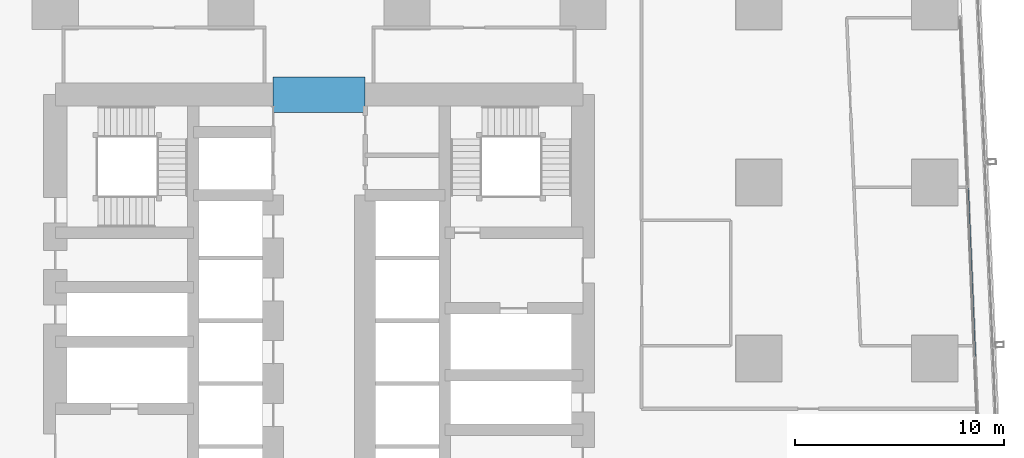
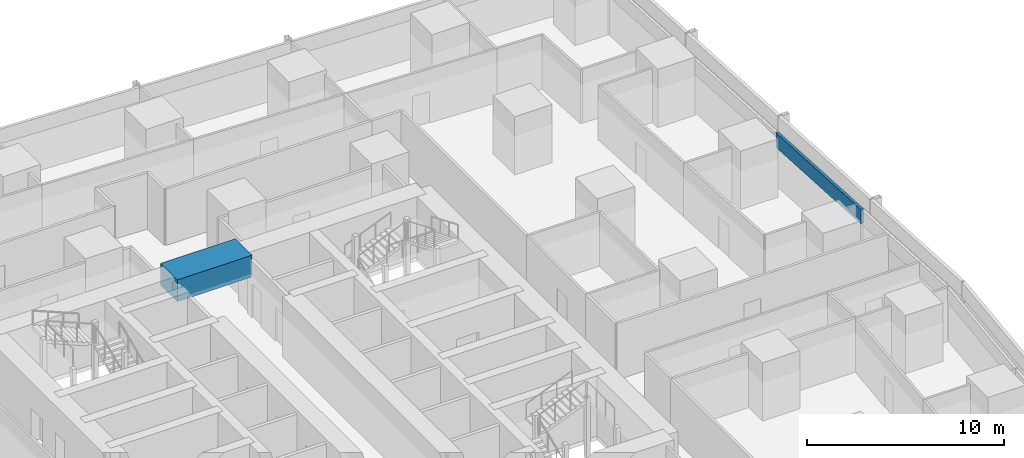
# One storey, part 19 of 44: 1 beam, 1 member, 1 element without a shape of its own.
"""IFC4 building model written with IfcOpenShell, lengths in metres."""

from ifc_helpers import new_model, si_unit, direction, frame, origin, origin_2d, place, context, subcontext, project, spatial, rectangle, hollow_rectangle, extrude, material, material_profile, profile_set, type_object, element, aggregate, save


model = new_model("IFC4")

# Units and contexts
model_context = context("Model", 3, precision=1e-05, world=origin(), true_north=direction((0.0, 1.0)))
body_context = subcontext(model_context, "Body", "Model", "MODEL_VIEW")
ifc_project = project(units=[si_unit("LENGTHUNIT", "METRE"), si_unit("AREAUNIT", "SQUARE_METRE"), si_unit("VOLUMEUNIT", "CUBIC_METRE"), si_unit("PLANEANGLEUNIT", "RADIAN"), si_unit("MASSUNIT", "GRAM", prefix="KILO")], contexts=[model_context])

# Site, building, storey
site_placement = place(None, origin())
site = spatial("IfcSite", under=ifc_project, at=site_placement, CompositionType="ELEMENT")
building_placement = place(site_placement, origin())
building = spatial("IfcBuilding", under=site, at=building_placement, Name="Rekha Terrace Tower", CompositionType="ELEMENT")
storey_placement = place(building_placement, frame((0.0, 0.0, 74.14990234375)))
storey = spatial("IfcBuildingStorey", under=building, at=storey_placement, Name="L18", CompositionType="ELEMENT", Elevation=74.14990234375)

# Curtain wall, member
ifc_material_1 = material(Name="Aluminium framing", Category="aluminium")
curtain_wall_type = type_object("IfcCurtainWallType", Name="CW1 double skin inner glazing", PredefinedType="USERDEFINED", material=ifc_material_1)
curtain_wall_placement = place(storey_placement, origin())
curtain_wall = element("IfcCurtainWall", 1, at=curtain_wall_placement, inside=storey, type_object=curtain_wall_type, Name="CW1 double skin inner glazing", ObjectType="DOUBLE SKIN INNER GLAZING", PredefinedType="USERDEFINED")
ifc_material_2 = material(Name="Insulated aluminium spandrel box", Category="aluminium")
ifc_material_profile_1 = material_profile(ifc_material_2, hollow_rectangle(XDim=0.14990234375, YDim=0.89990234375, WallThickness=0.0029296875, at=origin_2d()), Name="AL SPANDREL BOX 150x900")
ifc_profile_set_1 = profile_set([ifc_material_profile_1], Name="Insulated aluminium spandrel box")
member_type = type_object("IfcMemberType", Name="CW1 spandrel transom 150 x 900", PredefinedType="USERDEFINED", material=ifc_profile_set_1)
member_placement = place(storey_placement, frame((69.08935546875, 33.682861328125, 3.050048828125), z_axis=(-0.042698394831, 0.999088007674, 0.0), x_axis=(-0.999088007674, -0.042698394831, 0.0)))
member = element("IfcMember", 2, at=member_placement, type_object=member_type, Name="CW1 spandrel transom 2", ObjectType="TRANSOM", PredefinedType="USERDEFINED", context=body_context, shape_type="SweptSolid", body=[
    extrude(hollow_rectangle(XDim=0.14990234375, YDim=0.89990234375, WallThickness=0.0029296875, at=origin_2d()), origin(), (0.0, 0.0, 1.0), 8.073486328125),
])
aggregate(curtain_wall, [member])

# Beam
ifc_material_3 = material(Name="Concrete M70", Category="concrete")
ifc_material_profile_2 = material_profile(ifc_material_3, rectangle(XDim=1.699951171875, YDim=1.35009765625, at=origin_2d()), Name="RC 1700x1350")
ifc_profile_set_2 = profile_set([ifc_material_profile_2], Name="Concrete M70")
beam_type = type_object("IfcBeamType", Name="LB1A 1700x1350 diagonally reinforced coupling beam", PredefinedType="LINTEL", material=ifc_profile_set_2)
beam_placement = place(storey_placement, frame((35.60009765625, 46.199951171875, 3.0751953125), z_axis=(1.0, 0.0, 0.0), x_axis=(0.0, 1.0, 0.0)))
element("IfcBeam", 3, at=beam_placement, inside=storey, type_object=beam_type, Name="Coupling beam LB1A N L18", PredefinedType="LINTEL", context=body_context, shape_type="SweptSolid", body=[
    extrude(rectangle(XDim=1.699951171875, YDim=1.35009765625, at=origin_2d()), origin(), (0.0, 0.0, 1.0), 4.39990234375),
])

save(model, "model.ifc")
